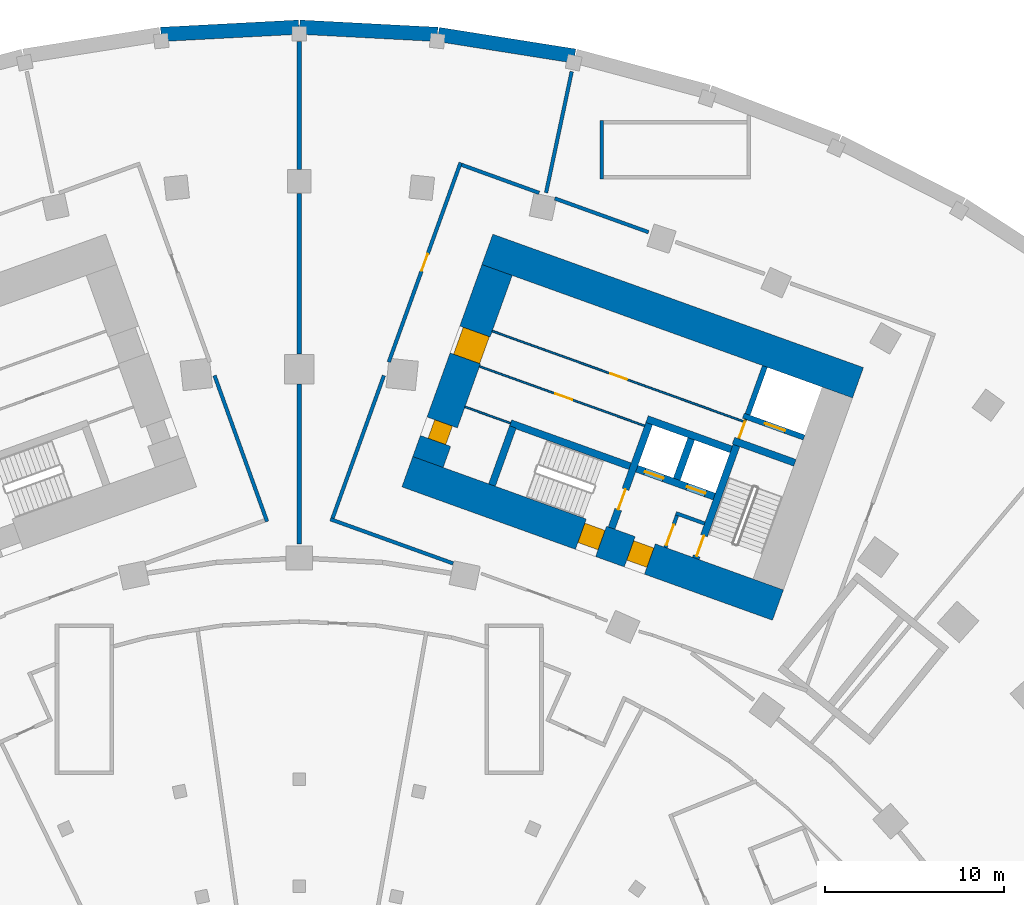
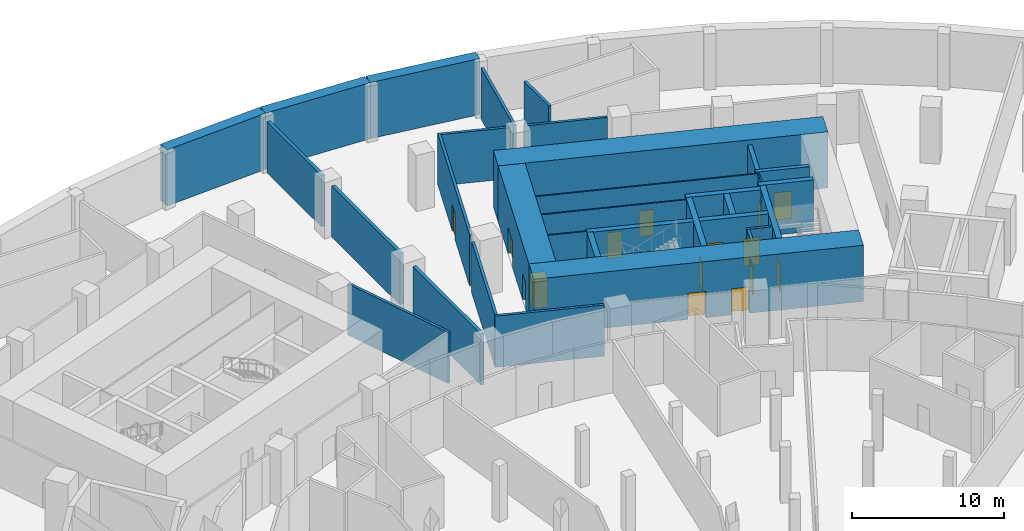
# One storey, part 12 of 21: 32 walls, 14 doors, 14 openings.
"""IFC4 building model written with IfcOpenShell, lengths in metres."""

from ifc_helpers import new_model, si_unit, direction, frame, frame_2d, origin, place, context, subcontext, project, spatial, rectangle, extrude, material, layer, layer_set, type_object, element, fill, save


model = new_model("IFC4")

# Units and contexts
model_context = context("Model", 3, precision=1e-05, world=origin(), true_north=direction((0.0, 1.0)))
body_context = subcontext(model_context, "Body", "Model", "MODEL_VIEW")
ifc_project = project(units=[si_unit("LENGTHUNIT", "METRE"), si_unit("AREAUNIT", "SQUARE_METRE"), si_unit("VOLUMEUNIT", "CUBIC_METRE"), si_unit("PLANEANGLEUNIT", "RADIAN"), si_unit("MASSUNIT", "GRAM", prefix="KILO")], contexts=[model_context])

# Site, building, storey
site_placement = place(None, origin())
site = spatial("IfcSite", under=ifc_project, at=site_placement, CompositionType="ELEMENT")
building_placement = place(site_placement, origin())
building = spatial("IfcBuilding", under=site, at=building_placement, Name="Stone Belt Terrace Tower", CompositionType="ELEMENT")
storey_placement = place(building_placement, frame((0.0, 0.0, -9.0)))
storey = spatial("IfcBuildingStorey", under=building, at=storey_placement, Name="B2", CompositionType="ELEMENT", Elevation=-9.0)

# Walls
ifc_material_1 = material(Name="Concrete B30", Category="concrete")
ifc_layer_1 = layer(ifc_material_1, 0.800048828125)
ifc_layer_set_1 = layer_set([ifc_layer_1], Name="Basement wall 800 B30")
wall_type_1 = type_object("IfcWallType", Name="Basement wall 800 B30", PredefinedType="SHEAR", material=ifc_layer_set_1)
wall_1_placement = place(storey_placement, frame((15.385498046875, 72.4833984375, 0.0), z_axis=(0.0, 0.0, 1.0), x_axis=(-0.987688438382, 0.156433847638, 0.0)))
element("IfcWall", 1, at=wall_1_placement, inside=storey, type_object=wall_type_1, Name="Basement wall B2 34", PredefinedType="SHEAR", context=body_context, shape_type="SweptSolid", body=[
    extrude(rectangle(XDim=7.71435546875, YDim=0.800048828125, at=frame_2d((3.857177734375, 0.0))), origin(), (0.0, 0.0, 1.0), 4.5),
])
for number, where, z_axis, x_axis, name in (
    (2, (7.724609375, 73.694580078125, 0.0), (0.0, 0.0, 1.0), (-0.99862899724, 0.052346211619, 0.0), "Basement wall B2 35"),
    (3, (-0.02099609375, 74.098388671875, 0.0), (0.0, 0.0, 1.0), (-0.99862899724, -0.052346211619, 0.0), "Basement wall B2 36"),
):
    element("IfcWall", number, at=place(storey_placement, frame(where, z_axis=z_axis, x_axis=x_axis)), inside=storey, type_object=wall_type_1, Name=name, PredefinedType="SHEAR", context=body_context, shape_type="SweptSolid", body=[
        extrude(rectangle(XDim=7.714111328125, YDim=0.800048828125, at=frame_2d((3.85693359375, 0.0))), origin(), (0.0, 0.0, 1.0), 4.5),
    ])
ifc_layer_2 = layer(ifc_material_1, 0.25)
ifc_layer_set_2 = layer_set([ifc_layer_2], Name="Compartment wall 250")
wall_type_2 = type_object("IfcWallType", Name="Compartment wall 250", PredefinedType="SOLIDWALL", material=ifc_layer_set_2)
wall_2_placement = place(storey_placement, frame((0.0, 45.215087890625, 0.0), z_axis=(0.0, 0.0, 1.0), x_axis=(0.0, 1.0, 0.0)))
element("IfcWall", 4, at=wall_2_placement, inside=storey, type_object=wall_type_2, Name="Compartment wall B2 9", PredefinedType="SOLIDWALL", context=body_context, shape_type="SweptSolid", body=[
    extrude(rectangle(XDim=8.93994140625, YDim=0.25, at=frame_2d((4.469970703125, 0.0))), origin(), (0.0, 0.0, 1.0), 4.10009765625),
])
wall_3_placement = place(storey_placement, frame((0.0, 55.844970703125, 0.0), z_axis=(0.0, 0.0, 1.0), x_axis=(0.0, 1.0, 0.0)))
element("IfcWall", 5, at=wall_3_placement, inside=storey, type_object=wall_type_2, Name="Compartment wall B2 9", PredefinedType="SOLIDWALL", context=body_context, shape_type="SweptSolid", body=[
    extrude(rectangle(XDim=8.973876953125, YDim=0.25, at=frame_2d((4.48681640625, 0.0))), origin(), (0.0, 0.0, 1.0), 4.10009765625),
])
wall_4_placement = place(storey_placement, frame((0.0, 66.158935546875, 0.0), z_axis=(0.0, 0.0, 1.0), x_axis=(0.0, 1.0, 0.0)))
element("IfcWall", 6, at=wall_4_placement, inside=storey, type_object=wall_type_2, Name="Compartment wall B2 9", PredefinedType="SOLIDWALL", context=body_context, shape_type="SweptSolid", body=[
    extrude(rectangle(XDim=7.14892578125, YDim=0.25, at=frame_2d((3.574462890625, 0.0))), origin(), (0.0, 0.0, 1.0), 4.10009765625),
])

# Wall, opening, door
ifc_material_2 = material(Name="Plasterboard partition")
ifc_layer_3 = layer(ifc_material_2, 0.10009765625)
ifc_layer_set_3 = layer_set([ifc_layer_3], Name="Core partition 100")
wall_type_3 = type_object("IfcWallType", Name="Core partition 100", PredefinedType="PARTITIONING", material=ifc_layer_set_3)
wall_5_placement = place(storey_placement, frame((24.555908203125, 51.10400390625, 0.0), z_axis=(0.0, 0.0, 1.0), x_axis=(0.338621735342, 0.94092258999, 0.0)))
wall_5 = element("IfcWall", 7, at=wall_5_placement, inside=storey, type_object=wall_type_3, Name="Core B wall", PredefinedType="PARTITIONING", context=body_context, shape_type="SweptSolid", body=[
    extrude(rectangle(XDim=1.14990234375, YDim=0.10009765625, at=frame_2d((0.574951171875, 0.0))), origin(), (0.0, 0.0, 1.0), 4.10009765625),
])
opening_1_placement = place(wall_5_placement, frame((0.050048828125, 0.0, 0.0)))
opening_1 = element("IfcOpeningElement", 8, at=opening_1_placement, cuts=wall_5, Name="Opening B2-C13", PredefinedType="OPENING", context=body_context, shape_type="SweptSolid", body=[
    extrude(rectangle(XDim=1.0, YDim=2.10009765625, at=frame_2d((0.5, 1.050048828125))), frame((0.0, 0.06005859375, 0.0), z_axis=(0.0, -1.0, 0.0), x_axis=(1.0, 0.0, 0.0)), (0.0, 0.0, 1.0), 0.1201171875),
])
ifc_material_3 = material(Name="Timber door leaf", Category="wood")
door_type_1 = type_object("IfcDoorType", Name="Core room door 1000", OperationType="SINGLE_SWING_LEFT", PredefinedType="DOOR", material=ifc_material_3)
door_1_placement = place(opening_1_placement, origin())
door_1 = element("IfcDoor", 9, at=door_1_placement, inside=storey, type_object=door_type_1, Name="Service lift lobby door core B", OperationType="SINGLE_SWING_RIGHT", OverallHeight=2.10009765625, OverallWidth=1.0, PredefinedType="DOOR", context=body_context, shape_type="SweptSolid", body=[
    extrude(rectangle(XDim=1.0, YDim=2.10009765625, at=frame_2d((0.5, 1.050048828125))), frame((0.0, 0.02490234375, 0.0), z_axis=(0.0, -1.0, 0.0), x_axis=(1.0, 0.0, 0.0)), (0.0, 0.0, 1.0), 0.050048828125),
])
fill(opening_1, door_1)

wall_6_placement = place(storey_placement, frame((24.847412109375, 52.061767578125, 0.0), z_axis=(0.0, 0.0, 1.0), x_axis=(-0.940921131887, 0.338625786921, 0.0)))
wall_6 = element("IfcWall", 10, at=wall_6_placement, inside=storey, type_object=wall_type_3, Name="Core B wall", PredefinedType="PARTITIONING", context=body_context, shape_type="SweptSolid", body=[
    extrude(rectangle(XDim=14.9501953125, YDim=0.10009765625, at=frame_2d((7.47509765625, 0.0))), origin(), (0.0, 0.0, 1.0), 4.10009765625),
])
opening_2_placement = place(wall_6_placement, frame((6.949951171875, 0.0, 0.0)))
opening_2 = element("IfcOpeningElement", 11, at=opening_2_placement, cuts=wall_6, Name="Opening B2-C11", PredefinedType="OPENING", context=body_context, shape_type="SweptSolid", body=[
    extrude(rectangle(XDim=1.0, YDim=2.10009765625, at=frame_2d((0.5, 1.050048828125))), frame((0.0, 0.06005859375, 0.0), z_axis=(0.0, -1.0, 0.0), x_axis=(1.0, 0.0, 0.0)), (0.0, 0.0, 1.0), 0.1201171875),
])
door_2_placement = place(opening_2_placement, origin())
door_2 = element("IfcDoor", 12, at=door_2_placement, inside=storey, type_object=door_type_1, Name="Door to Chilled water pump room core B", OperationType="SINGLE_SWING_RIGHT", OverallHeight=2.10009765625, OverallWidth=1.0, PredefinedType="DOOR", context=body_context, shape_type="SweptSolid", body=[
    extrude(rectangle(XDim=1.0, YDim=2.10009765625, at=frame_2d((0.5, 1.050048828125))), frame((0.0, 0.02490234375, 0.0), z_axis=(0.0, -1.0, 0.0), x_axis=(1.0, 0.0, 0.0)), (0.0, 0.0, 1.0), 0.050048828125),
])
fill(opening_2, door_2)

wall_7_placement = place(storey_placement, frame((19.29052734375, 51.829833984375, 0.0), z_axis=(0.0, 0.0, 1.0), x_axis=(-0.940925833398, 0.338612722803, 0.0)))
wall_7 = element("IfcWall", 13, at=wall_7_placement, inside=storey, type_object=wall_type_3, Name="Core B wall", PredefinedType="PARTITIONING", context=body_context, shape_type="SweptSolid", body=[
    extrude(rectangle(XDim=9.7998046875, YDim=0.10009765625, at=frame_2d((4.89990234375, 0.0))), origin(), (0.0, 0.0, 1.0), 4.10009765625),
])
opening_3_placement = place(wall_7_placement, frame((4.300048828125, 0.0, 0.0)))
opening_3 = element("IfcOpeningElement", 14, at=opening_3_placement, cuts=wall_7, Name="Opening B2-C12", PredefinedType="OPENING", context=body_context, shape_type="SweptSolid", body=[
    extrude(rectangle(XDim=1.0, YDim=2.10009765625, at=frame_2d((0.5, 1.050048828125))), frame((0.0, 0.06005859375, 0.0), z_axis=(0.0, -1.0, 0.0), x_axis=(1.0, 0.0, 0.0)), (0.0, 0.0, 1.0), 0.1201171875),
])
door_3_placement = place(opening_3_placement, origin())
door_3 = element("IfcDoor", 15, at=door_3_placement, inside=storey, type_object=door_type_1, Name="Door to Fire pump room core B", OperationType="SINGLE_SWING_RIGHT", OverallHeight=2.10009765625, OverallWidth=1.0, PredefinedType="DOOR", context=body_context, shape_type="SweptSolid", body=[
    extrude(rectangle(XDim=1.0, YDim=2.10009765625, at=frame_2d((0.5, 1.050048828125))), frame((0.0, 0.02490234375, 0.0), z_axis=(0.0, -1.0, 0.0), x_axis=(1.0, 0.0, 0.0)), (0.0, 0.0, 1.0), 0.050048828125),
])
fill(opening_3, door_3)

# Wall
wall_8_placement = place(storey_placement, frame((11.797119140625, 51.975830078125, 0.0), z_axis=(0.0, 0.0, 1.0), x_axis=(-0.940910465161, 0.33865542451, 0.0)))
element("IfcWall", 16, at=wall_8_placement, inside=storey, type_object=wall_type_3, Name="Core B wall", PredefinedType="PARTITIONING", context=body_context, shape_type="SweptSolid", body=[
    extrude(rectangle(XDim=2.69970703125, YDim=0.10009765625, at=frame_2d((1.349853515625, 0.0))), origin(), (0.0, 0.0, 1.0), 4.10009765625),
])

# Wall, openings, doors
ifc_material_4 = material(Name="Concrete B80", Category="concrete")
ifc_layer_4 = layer(ifc_material_4, 1.800048828125)
ifc_layer_set_4 = layer_set([ifc_layer_4], Name="Core wall 1800 B80")
wall_type_4 = type_object("IfcWallType", Name="Core wall 1800 B80", PredefinedType="SHEAR", material=ifc_layer_set_4)
wall_9_placement = place(storey_placement, frame((6.039306640625, 49.265380859375, 0.0), z_axis=(0.0, 0.0, 1.0), x_axis=(0.940921642213, -0.338624368902, 0.0)))
wall_9 = element("IfcWall", 17, at=wall_9_placement, inside=storey, type_object=wall_type_4, Name="Core B wall concave B2", PredefinedType="SHEAR", context=body_context, shape_type="SweptSolid", body=[
    extrude(rectangle(XDim=22.0, YDim=1.800048828125, at=frame_2d((11.0, 0.0))), origin(), (0.0, 0.0, 1.0), 4.5),
])
opening_4_placement = place(wall_9_placement, frame((13.199951171875, 0.0, 0.0)))
opening_4 = element("IfcOpeningElement", 18, at=opening_4_placement, cuts=wall_9, Name="Opening B2-C17", PredefinedType="OPENING", context=body_context, shape_type="SweptSolid", body=[
    extrude(rectangle(XDim=1.199951171875, YDim=2.10009765625, at=frame_2d((0.60009765625, 1.050048828125))), frame((0.0, 0.909912109375, 0.0), z_axis=(0.0, -1.0, 0.0), x_axis=(1.0, 0.0, 0.0)), (0.0, 0.0, 1.0), 1.820068359375),
])
opening_5_placement = place(wall_9_placement, frame((10.300048828125, 0.0, 0.0)))
opening_5 = element("IfcOpeningElement", 19, at=opening_5_placement, cuts=wall_9, Name="Opening B2-C19", PredefinedType="OPENING", context=body_context, shape_type="SweptSolid", body=[
    extrude(rectangle(XDim=1.199951171875, YDim=2.10009765625, at=frame_2d((0.60009765625, 1.050048828125))), frame((0.0, 0.909912109375, 0.0), z_axis=(0.0, -1.0, 0.0), x_axis=(1.0, 0.0, 0.0)), (0.0, 0.0, 1.0), 1.820068359375),
])
ifc_material_5 = material(Name="Steel door leaf", Category="steel")
door_type_2 = type_object("IfcDoorType", Name="Fire-fighting lobby door 1200", OperationType="SINGLE_SWING_LEFT", PredefinedType="DOOR", material=ifc_material_5)
door_4_placement = place(opening_4_placement, origin())
door_4 = element("IfcDoor", 20, at=door_4_placement, inside=storey, type_object=door_type_2, Name="Fire-fighting lobby door core B", OperationType="SINGLE_SWING_RIGHT", OverallHeight=2.10009765625, OverallWidth=1.199951171875, PredefinedType="DOOR", context=body_context, shape_type="SweptSolid", body=[
    extrude(rectangle(XDim=1.199951171875, YDim=2.10009765625, at=frame_2d((0.60009765625, 1.050048828125))), frame((0.0, 0.655029296875, 0.0), z_axis=(0.0, -1.0, 0.0), x_axis=(1.0, 0.0, 0.0)), (0.0, 0.0, 1.0), 1.14990234375),
])
fill(opening_4, door_4)
door_type_3 = type_object("IfcDoorType", Name="Stair door 1200", OperationType="SINGLE_SWING_LEFT", PredefinedType="DOOR", material=ifc_material_5)
door_5_placement = place(opening_5_placement, origin())
door_5 = element("IfcDoor", 21, at=door_5_placement, inside=storey, type_object=door_type_3, Name="Stair 2 exit door core B", OperationType="SINGLE_SWING_LEFT", OverallHeight=2.10009765625, OverallWidth=1.199951171875, PredefinedType="DOOR", context=body_context, shape_type="SweptSolid", body=[
    extrude(rectangle(XDim=1.199951171875, YDim=2.10009765625, at=frame_2d((0.60009765625, 1.050048828125))), frame((0.0, 0.655029296875, 0.0), z_axis=(0.0, -1.0, 0.0), x_axis=(1.0, 0.0, 0.0)), (0.0, 0.0, 1.0), 1.14990234375),
])
fill(opening_5, door_5)

# Wall
wall_10_placement = place(storey_placement, frame((10.509033203125, 61.685546875, 0.0), z_axis=(0.0, 0.0, 1.0), x_axis=(0.940922914687, -0.338620833112, 0.0)))
element("IfcWall", 22, at=wall_10_placement, inside=storey, type_object=wall_type_4, Name="Core B wall convex B2", PredefinedType="SHEAR", context=body_context, shape_type="SweptSolid", body=[
    extrude(rectangle(XDim=22.000244140625, YDim=1.800048828125, at=frame_2d((11.0, 0.0))), origin(), (0.0, 0.0, 1.0), 4.5),
])

# Wall, openings, doors
wall_11_placement = place(storey_placement, frame((7.19091796875, 49.8076171875, 0.0), z_axis=(0.0, 0.0, 1.0), x_axis=(0.338632255135, 0.940918804033, 0.0)))
wall_11 = element("IfcWall", 23, at=wall_11_placement, inside=storey, type_object=wall_type_4, Name="Core B wall end_a B2", PredefinedType="SHEAR", context=body_context, shape_type="SweptSolid", body=[
    extrude(rectangle(XDim=11.39990234375, YDim=1.800048828125, at=frame_2d((5.699951171875, 0.0))), origin(), (0.0, 0.0, 1.0), 4.5),
])
opening_6_placement = place(wall_11_placement, frame((6.14990234375, 0.0, 0.0)))
opening_6 = element("IfcOpeningElement", 24, at=opening_6_placement, cuts=wall_11, Name="Opening B2-C14", PredefinedType="OPENING", context=body_context, shape_type="SweptSolid", body=[
    extrude(rectangle(XDim=1.60009765625, YDim=2.10009765625, at=frame_2d((0.800048828125, 1.050048828125))), frame((0.0, 0.909912109375, 0.0), z_axis=(0.0, -1.0, 0.0), x_axis=(1.0, 0.0, 0.0)), (0.0, 0.0, 1.0), 1.820068359375),
])
opening_7_placement = place(wall_11_placement, frame((1.25, 0.0, 0.0)))
opening_7 = element("IfcOpeningElement", 25, at=opening_7_placement, cuts=wall_11, Name="Opening B2-C20", PredefinedType="OPENING", context=body_context, shape_type="SweptSolid", body=[
    extrude(rectangle(XDim=1.10009765625, YDim=2.10009765625, at=frame_2d((0.550048828125, 1.050048828125))), frame((0.0, 0.909912109375, 0.0), z_axis=(0.0, -1.0, 0.0), x_axis=(1.0, 0.0, 0.0)), (0.0, 0.0, 1.0), 1.820068359375),
])
door_type_4 = type_object("IfcDoorType", Name="Core room door 1100", OperationType="SINGLE_SWING_LEFT", PredefinedType="DOOR", material=ifc_material_3)
door_6_placement = place(opening_7_placement, origin())
door_6 = element("IfcDoor", 26, at=door_6_placement, inside=storey, type_object=door_type_4, Name="Door to Switch room core B", OperationType="SINGLE_SWING_RIGHT", OverallHeight=2.10009765625, OverallWidth=1.10009765625, PredefinedType="DOOR", context=body_context, shape_type="SweptSolid", body=[
    extrude(rectangle(XDim=1.10009765625, YDim=2.10009765625, at=frame_2d((0.550048828125, 1.050048828125))), frame((0.0, 0.44482421875, 0.0), z_axis=(0.0, -1.0, 0.0), x_axis=(1.0, 0.0, 0.0)), (0.0, 0.0, 1.0), 1.050048828125),
])
fill(opening_7, door_6)
ifc_material_6 = material(Name="Glazed aluminium door leaf", Category="aluminium")
door_type_5 = type_object("IfcDoorType", Name="Lift lobby entrance door 1600", OperationType="DOUBLE_DOOR_SINGLE_SWING", PredefinedType="DOOR", material=ifc_material_6)
door_7_placement = place(opening_6_placement, origin())
door_7 = element("IfcDoor", 27, at=door_7_placement, inside=storey, type_object=door_type_5, Name="Lift lobby entrance door core B", OperationType="DOUBLE_DOOR_SINGLE_SWING", OverallHeight=2.10009765625, OverallWidth=1.60009765625, PredefinedType="DOOR", context=body_context, shape_type="SweptSolid", body=[
    extrude(rectangle(XDim=1.60009765625, YDim=2.10009765625, at=frame_2d((0.800048828125, 1.050048828125))), frame((0.0, 0.69482421875, 0.0), z_axis=(0.0, -1.0, 0.0), x_axis=(1.0, 0.0, 0.0)), (0.0, 0.0, 1.0), 1.550048828125),
])
fill(opening_6, door_7)

# Walls
ifc_layer_5 = layer(ifc_material_4, 0.39990234375)
ifc_layer_set_5 = layer_set([ifc_layer_5], Name="Fire-fighting lift shaft wall 400")
wall_type_5 = type_object("IfcWallType", Name="Fire-fighting lift shaft wall 400", PredefinedType="SHEAR", material=ifc_layer_set_5)
wall_12_placement = place(storey_placement, frame((24.130615234375, 50.512939453125, 0.0), z_axis=(0.0, 0.0, 1.0), x_axis=(-0.94091168377, 0.338652038744, 0.0)))
element("IfcWall", 28, at=wall_12_placement, inside=storey, type_object=wall_type_5, Name="Core B wall", PredefinedType="SHEAR", context=body_context, shape_type="SweptSolid", body=[
    extrude(rectangle(XDim=5.000244140625, YDim=0.39990234375, at=frame_2d((2.5, 0.0))), origin(), (0.0, 0.0, 1.0), 4.10009765625),
])
wall_13_placement = place(storey_placement, frame((21.0859375, 48.845458984375, 0.0), z_axis=(0.0, 0.0, 1.0), x_axis=(0.338629416206, 0.940919825745, 0.0)))
element("IfcWall", 29, at=wall_13_placement, inside=storey, type_object=wall_type_5, Name="Core B wall", PredefinedType="SHEAR", context=body_context, shape_type="SweptSolid", body=[
    extrude(rectangle(XDim=2.400146484375, YDim=0.39990234375, at=frame_2d((1.2001953125, 0.0))), origin(), (0.0, 0.0, 1.0), 4.10009765625),
])

# Wall, opening, door
ifc_layer_6 = layer(ifc_material_4, 0.300048828125)
ifc_layer_set_6 = layer_set([ifc_layer_6], Name="Lift shaft wall 300")
wall_type_6 = type_object("IfcWallType", Name="Lift shaft wall 300", PredefinedType="SHEAR", material=ifc_layer_set_6)
wall_14_placement = place(storey_placement, frame((28.195068359375, 51.17578125, 0.0), z_axis=(0.0, 0.0, 1.0), x_axis=(-0.940901243567, 0.338681044427, 0.0)))
wall_14 = element("IfcWall", 30, at=wall_14_placement, inside=storey, type_object=wall_type_6, Name="Core B wall", PredefinedType="SHEAR", context=body_context, shape_type="SweptSolid", body=[
    extrude(rectangle(XDim=3.599853515625, YDim=0.300048828125, at=frame_2d((1.7998046875, 0.0))), origin(), (0.0, 0.0, 1.0), 4.10009765625),
])
opening_8_placement = place(wall_14_placement, frame((1.1201171875, 0.0, 0.0)))
opening_8 = element("IfcOpeningElement", 31, at=opening_8_placement, cuts=wall_14, Name="Opening B2-LD06", PredefinedType="OPENING", context=body_context, shape_type="SweptSolid", body=[
    extrude(rectangle(XDim=1.199951171875, YDim=2.199951171875, at=frame_2d((0.60009765625, 1.10009765625))), frame((0.0, 0.159912109375, 0.0), z_axis=(0.0, -1.0, 0.0), x_axis=(1.0, 0.0, 0.0)), (0.0, 0.0, 1.0), 0.320068359375),
])
ifc_material_7 = material(Name="Stainless steel door leaf", Category="steel")
door_type_6 = type_object("IfcDoorType", Name="Landing door 1200", OperationType="SLIDING_TO_LEFT", PredefinedType="DOOR", material=ifc_material_7)
door_8_placement = place(opening_8_placement, origin())
door_8 = element("IfcDoor", 32, at=door_8_placement, inside=storey, type_object=door_type_6, Name="Landing door SV1 core B", OperationType="SLIDING_TO_LEFT", OverallHeight=2.199951171875, OverallWidth=1.199951171875, PredefinedType="DOOR", context=body_context, shape_type="SweptSolid", body=[
    extrude(rectangle(XDim=1.199951171875, YDim=2.199951171875, at=frame_2d((0.60009765625, 1.10009765625))), frame((0.0, 0.02490234375, 0.0), z_axis=(0.0, -1.0, 0.0), x_axis=(1.0, 0.0, 0.0)), (0.0, 0.0, 1.0), 0.050048828125),
])
fill(opening_8, door_8)

# Walls
wall_15_placement = place(storey_placement, frame((25.046875, 52.46826171875, 0.0), z_axis=(0.0, 0.0, 1.0), x_axis=(0.338549588058, 0.940948551423, 0.0)))
element("IfcWall", 33, at=wall_15_placement, inside=storey, type_object=wall_type_6, Name="Core B wall", PredefinedType="SHEAR", context=body_context, shape_type="SweptSolid", body=[
    extrude(rectangle(XDim=2.849853515625, YDim=0.300048828125, at=frame_2d((1.4248046875, 0.0))), origin(), (0.0, 0.0, 1.0), 4.10009765625),
])
ifc_material_8 = material(Name="Blockwork wall, plastered both faces", Category="masonry")
ifc_layer_7 = layer(ifc_material_8, 0.199951171875)
ifc_layer_set_7 = layer_set([ifc_layer_7], Name="Podium demising wall 200")
wall_type_7 = type_object("IfcWallType", Name="Podium demising wall 200", PredefinedType="PARTITIONING", material=ifc_layer_set_7)
wall_16_placement = place(storey_placement, frame((-4.73095703125, 54.6376953125, 0.0), z_axis=(0.0, 0.0, 1.0), x_axis=(0.338734435594, -0.940882023499, 0.0)))
element("IfcWall", 34, at=wall_16_placement, inside=storey, type_object=wall_type_7, Name="Podium demising wall 200", PredefinedType="PARTITIONING", context=body_context, shape_type="SweptSolid", body=[
    extrude(rectangle(XDim=8.6640625, YDim=0.199951171875, at=frame_2d((4.33203125, 0.0))), origin(), (0.0, 0.0, 1.0), 4.10009765625),
])
wall_17_placement = place(storey_placement, frame((1.73583984375, 46.614013671875, 0.0), z_axis=(0.0, 0.0, 1.0), x_axis=(0.940814819485, -0.338921046023, 0.0)))
element("IfcWall", 35, at=wall_17_placement, inside=storey, type_object=wall_type_7, Name="Podium demising wall 200", PredefinedType="PARTITIONING", context=body_context, shape_type="SweptSolid", body=[
    extrude(rectangle(XDim=7.29052734375, YDim=0.199951171875, at=frame_2d((3.645263671875, 0.0))), origin(), (0.0, 0.0, 1.0), 4.10009765625),
])
wall_18_placement = place(storey_placement, frame((1.864013671875, 46.674072265625, 0.0), z_axis=(0.0, 0.0, 1.0), x_axis=(0.338723553924, 0.940885941024, 0.0)))
element("IfcWall", 36, at=wall_18_placement, inside=storey, type_object=wall_type_7, Name="Podium demising wall 200", PredefinedType="PARTITIONING", context=body_context, shape_type="SweptSolid", body=[
    extrude(rectangle(XDim=8.4638671875, YDim=0.199951171875, at=frame_2d((4.23193359375, 0.0))), origin(), (0.0, 0.0, 1.0), 4.10009765625),
])

# Wall, opening, door
wall_19_placement = place(storey_placement, frame((5.00341796875, 55.394775390625, 0.0), z_axis=(0.0, 0.0, 1.0), x_axis=(0.338742834856, 0.940878999571, 0.0)))
wall_19 = element("IfcWall", 37, at=wall_19_placement, inside=storey, type_object=wall_type_7, Name="Podium demising wall 200", PredefinedType="PARTITIONING", context=body_context, shape_type="SweptSolid", body=[
    extrude(rectangle(XDim=11.83935546875, YDim=0.199951171875, at=frame_2d((5.919677734375, 0.0))), origin(), (0.0, 0.0, 1.0), 4.10009765625),
])
opening_9_placement = place(wall_19_placement, frame((5.419677734375, 0.0, 0.0)))
opening_9 = element("IfcOpeningElement", 38, at=opening_9_placement, cuts=wall_19, Name="Opening B2-P13", PredefinedType="OPENING", context=body_context, shape_type="SweptSolid", body=[
    extrude(rectangle(XDim=1.0, YDim=2.10009765625, at=frame_2d((0.5, 1.050048828125))), frame((0.0, 0.10986328125, 0.0), z_axis=(0.0, -1.0, 0.0), x_axis=(1.0, 0.0, 0.0)), (0.0, 0.0, 1.0), 0.219970703125),
])
ifc_material_9 = material(Name="Steel framed door leaf", Category="steel")
door_type_7 = type_object("IfcDoorType", Name="Podium door single 1000", OperationType="SINGLE_SWING_LEFT", PredefinedType="DOOR", material=ifc_material_9)
door_9_placement = place(opening_9_placement, origin())
door_9 = element("IfcDoor", 39, at=door_9_placement, inside=storey, type_object=door_type_7, Name="Podium door single 1000", OperationType="SINGLE_SWING_LEFT", OverallHeight=2.10009765625, OverallWidth=1.0, PredefinedType="DOOR", context=body_context, shape_type="SweptSolid", body=[
    extrude(rectangle(XDim=1.0, YDim=2.10009765625, at=frame_2d((0.5, 1.050048828125))), frame((0.0, 0.02490234375, 0.0), z_axis=(0.0, -1.0, 0.0), x_axis=(1.0, 0.0, 0.0)), (0.0, 0.0, 1.0), 0.050048828125),
])
fill(opening_9, door_9)

# Walls
wall_20_placement = place(storey_placement, frame((9.073974609375, 66.406005859375, 0.0), z_axis=(0.0, 0.0, 1.0), x_axis=(0.940314133955, -0.340307698245, 0.0)))
element("IfcWall", 40, at=wall_20_placement, inside=storey, type_object=wall_type_7, Name="Podium demising wall 200", PredefinedType="PARTITIONING", context=body_context, shape_type="SweptSolid", body=[
    extrude(rectangle(XDim=4.603515625, YDim=0.199951171875, at=frame_2d((2.3017578125, 0.0))), origin(), (0.0, 0.0, 1.0), 4.10009765625),
])
wall_21_placement = place(storey_placement, frame((14.272705078125, 64.531982421875, 0.0), z_axis=(0.0, 0.0, 1.0), x_axis=(0.940896911821, -0.338693078355, 0.0)))
element("IfcWall", 41, at=wall_21_placement, inside=storey, type_object=wall_type_7, Name="Podium demising wall 200", PredefinedType="PARTITIONING", context=body_context, shape_type="SweptSolid", body=[
    extrude(rectangle(XDim=5.569091796875, YDim=0.199951171875, at=frame_2d((2.78466796875, 0.0))), origin(), (0.0, 0.0, 1.0), 4.10009765625),
])
wall_22_placement = place(storey_placement, frame((13.787353515625, 64.849365234375, 0.0), z_axis=(0.0, 0.0, 1.0), x_axis=(0.207089788277, 0.978321940667, 0.0)))
element("IfcWall", 42, at=wall_22_placement, inside=storey, type_object=wall_type_7, Name="Podium demising wall 200", PredefinedType="PARTITIONING", context=body_context, shape_type="SweptSolid", body=[
    extrude(rectangle(XDim=6.9189453125, YDim=0.199951171875, at=frame_2d((3.45947265625, 0.0))), origin(), (0.0, 0.0, 1.0), 4.10009765625),
])
ifc_layer_8 = layer(ifc_material_1, 0.199951171875)
ifc_layer_set_8 = layer_set([ifc_layer_8], Name="Podium stair and shaft wall 200")
wall_type_8 = type_object("IfcWallType", Name="Podium stair and shaft wall 200", PredefinedType="SOLIDWALL", material=ifc_layer_set_8)
wall_23_placement = place(storey_placement, frame((16.889892578125, 65.6201171875, 0.0), z_axis=(0.0, 0.0, 1.0), x_axis=(0.0, 1.0, 0.0)))
element("IfcWall", 43, at=wall_23_placement, inside=storey, type_object=wall_type_8, Name="Podium stair and shaft wall 200", PredefinedType="SOLIDWALL", context=body_context, shape_type="SweptSolid", body=[
    extrude(rectangle(XDim=3.259765625, YDim=0.199951171875, at=frame_2d((1.6298828125, 0.0))), origin(), (0.0, 0.0, 1.0), 4.10009765625),
])
ifc_material_10 = material(Name="Concrete masonry block", Category="masonry")
ifc_layer_9 = layer(ifc_material_10, 0.199951171875)
ifc_layer_set_9 = layer_set([ifc_layer_9], Name="Rated lobby wall 200")
wall_type_9 = type_object("IfcWallType", Name="Rated lobby wall 200", PredefinedType="PARTITIONING", material=ifc_layer_set_9)
wall_24_placement = place(storey_placement, frame((22.640625, 46.373046875, 0.0), z_axis=(0.0, 0.0, 1.0), x_axis=(-0.940966110313, 0.338500781747, 0.0)))
element("IfcWall", 44, at=wall_24_placement, inside=storey, type_object=wall_type_9, Name="Core B wall", PredefinedType="PARTITIONING", context=body_context, shape_type="SweptSolid", body=[
    extrude(rectangle(XDim=1.699951171875, YDim=0.199951171875, at=frame_2d((0.85009765625, 0.0))), origin(), (0.0, 0.0, 1.0), 4.10009765625),
])

# Wall, opening, door
wall_25_placement = place(storey_placement, frame((20.4580078125, 45.032958984375, 0.0), z_axis=(0.0, 0.0, 1.0), x_axis=(0.338573865316, 0.940939816208, 0.0)))
wall_25 = element("IfcWall", 45, at=wall_25_placement, inside=storey, type_object=wall_type_9, Name="Core B wall", PredefinedType="PARTITIONING", context=body_context, shape_type="SweptSolid", body=[
    extrude(rectangle(XDim=1.900146484375, YDim=0.199951171875, at=frame_2d((0.9501953125, 0.0))), origin(), (0.0, 0.0, 1.0), 4.10009765625),
])
opening_10_placement = place(wall_25_placement, frame((0.14990234375, 0.0, 0.0)))
opening_10 = element("IfcOpeningElement", 46, at=opening_10_placement, cuts=wall_25, Name="Opening B2-C16", PredefinedType="OPENING", context=body_context, shape_type="SweptSolid", body=[
    extrude(rectangle(XDim=1.199951171875, YDim=2.10009765625, at=frame_2d((0.60009765625, 1.050048828125))), frame((0.0, 0.10986328125, 0.0), z_axis=(0.0, -1.0, 0.0), x_axis=(1.0, 0.0, 0.0)), (0.0, 0.0, 1.0), 0.219970703125),
])
door_10_placement = place(opening_10_placement, origin())
door_10 = element("IfcDoor", 47, at=door_10_placement, inside=storey, type_object=door_type_3, Name="Stair airlock door core B", OperationType="SINGLE_SWING_RIGHT", OverallHeight=2.10009765625, OverallWidth=1.199951171875, PredefinedType="DOOR", context=body_context, shape_type="SweptSolid", body=[
    extrude(rectangle(XDim=1.199951171875, YDim=2.10009765625, at=frame_2d((0.60009765625, 1.050048828125))), frame((0.0, 0.02490234375, 0.0), z_axis=(0.0, -1.0, 0.0), x_axis=(1.0, 0.0, 0.0)), (0.0, 0.0, 1.0), 0.050048828125),
])
fill(opening_10, door_10)

# Wall
ifc_layer_10 = layer(ifc_material_4, 0.39990234375)
ifc_layer_set_10 = layer_set([ifc_layer_10], Name="Stair enclosure wall 400")
wall_type_10 = type_object("IfcWallType", Name="Stair enclosure wall 400", PredefinedType="SHEAR", material=ifc_layer_set_10)
wall_26_placement = place(storey_placement, frame((27.687255859375, 49.764404296875, 0.0), z_axis=(0.0, 0.0, 1.0), x_axis=(-0.940918954884, 0.338631835981, 0.0)))
element("IfcWall", 48, at=wall_26_placement, inside=storey, type_object=wall_type_10, Name="Core B wall", PredefinedType="SHEAR", context=body_context, shape_type="SweptSolid", body=[
    extrude(rectangle(XDim=3.650146484375, YDim=0.39990234375, at=frame_2d((1.8251953125, 0.0))), origin(), (0.0, 0.0, 1.0), 4.10009765625),
])

# Wall, opening, door
wall_27_placement = place(storey_placement, frame((22.151611328125, 44.42333984375, 0.0), z_axis=(0.0, 0.0, 1.0), x_axis=(0.338625272931, 0.940921316866, 0.0)))
wall_27 = element("IfcWall", 49, at=wall_27_placement, inside=storey, type_object=wall_type_10, Name="Core B wall", PredefinedType="SHEAR", context=body_context, shape_type="SweptSolid", body=[
    extrude(rectangle(XDim=6.699951171875, YDim=0.39990234375, at=frame_2d((3.35009765625, 0.0))), origin(), (0.0, 0.0, 1.0), 4.10009765625),
])
opening_11_placement = place(wall_27_placement, frame((0.14990234375, 0.0, 0.0)))
opening_11 = element("IfcOpeningElement", 50, at=opening_11_placement, cuts=wall_27, Name="Opening B2-C15", PredefinedType="OPENING", context=body_context, shape_type="SweptSolid", body=[
    extrude(rectangle(XDim=1.199951171875, YDim=2.10009765625, at=frame_2d((0.60009765625, 1.050048828125))), frame((0.0, 0.2099609375, 0.0), z_axis=(0.0, -1.0, 0.0), x_axis=(1.0, 0.0, 0.0)), (0.0, 0.0, 1.0), 0.419921875),
])
door_11_placement = place(opening_11_placement, origin())
door_11 = element("IfcDoor", 51, at=door_11_placement, inside=storey, type_object=door_type_3, Name="Stair 1 door core B", OperationType="SINGLE_SWING_RIGHT", OverallHeight=2.10009765625, OverallWidth=1.199951171875, PredefinedType="DOOR", context=body_context, shape_type="SweptSolid", body=[
    extrude(rectangle(XDim=1.199951171875, YDim=2.10009765625, at=frame_2d((0.60009765625, 1.050048828125))), frame((0.0, 0.02490234375, 0.0), z_axis=(0.0, -1.0, 0.0), x_axis=(1.0, 0.0, 0.0)), (0.0, 0.0, 1.0), 0.050048828125),
])
fill(opening_11, door_11)

# Wall, openings, doors
wall_28_placement = place(storey_placement, frame((23.182373046875, 47.87841796875, 0.0), z_axis=(0.0, 0.0, 1.0), x_axis=(-0.940921101762, 0.338625870628, 0.0)))
wall_28 = element("IfcWall", 52, at=wall_28_placement, inside=storey, type_object=wall_type_10, Name="Core B wall", PredefinedType="SHEAR", context=body_context, shape_type="SweptSolid", body=[
    extrude(rectangle(XDim=12.10009765625, YDim=0.39990234375, at=frame_2d((6.050048828125, 0.0))), origin(), (0.0, 0.0, 1.0), 4.10009765625),
])
opening_12_placement = place(wall_28_placement, frame((0.52001953125, 0.0, 0.0)))
opening_12 = element("IfcOpeningElement", 53, at=opening_12_placement, cuts=wall_28, Name="Opening B2-LD04", PredefinedType="OPENING", context=body_context, shape_type="SweptSolid", body=[
    extrude(rectangle(XDim=1.10009765625, YDim=2.199951171875, at=frame_2d((0.550048828125, 1.10009765625))), frame((0.0, 0.2099609375, 0.0), z_axis=(0.0, -1.0, 0.0), x_axis=(1.0, 0.0, 0.0)), (0.0, 0.0, 1.0), 0.419921875),
])
opening_13_placement = place(wall_28_placement, frame((3.02001953125, 0.0, 0.0)))
opening_13 = element("IfcOpeningElement", 54, at=opening_13_placement, cuts=wall_28, Name="Opening B2-LD05", PredefinedType="OPENING", context=body_context, shape_type="SweptSolid", body=[
    extrude(rectangle(XDim=1.10009765625, YDim=2.199951171875, at=frame_2d((0.550048828125, 1.10009765625))), frame((0.0, 0.2099609375, 0.0), z_axis=(0.0, -1.0, 0.0), x_axis=(1.0, 0.0, 0.0)), (0.0, 0.0, 1.0), 0.419921875),
])
door_type_8 = type_object("IfcDoorType", Name="Landing door 1100", OperationType="SLIDING_TO_LEFT", PredefinedType="DOOR", material=ifc_material_7)
door_12_placement = place(opening_12_placement, origin())
door_12 = element("IfcDoor", 55, at=door_12_placement, inside=storey, type_object=door_type_8, Name="Landing door FF1 core B", OperationType="SLIDING_TO_LEFT", OverallHeight=2.199951171875, OverallWidth=1.10009765625, PredefinedType="DOOR", context=body_context, shape_type="SweptSolid", body=[
    extrude(rectangle(XDim=1.10009765625, YDim=2.199951171875, at=frame_2d((0.550048828125, 1.10009765625))), frame((0.0, 0.02490234375, 0.0), z_axis=(0.0, -1.0, 0.0), x_axis=(1.0, 0.0, 0.0)), (0.0, 0.0, 1.0), 0.050048828125),
])
fill(opening_12, door_12)
door_13_placement = place(opening_13_placement, origin())
door_13 = element("IfcDoor", 56, at=door_13_placement, inside=storey, type_object=door_type_8, Name="Landing door FF2 core B", OperationType="SLIDING_TO_LEFT", OverallHeight=2.199951171875, OverallWidth=1.10009765625, PredefinedType="DOOR", context=body_context, shape_type="SweptSolid", body=[
    extrude(rectangle(XDim=1.10009765625, YDim=2.199951171875, at=frame_2d((0.550048828125, 1.10009765625))), frame((0.0, 0.02490234375, 0.0), z_axis=(0.0, -1.0, 0.0), x_axis=(1.0, 0.0, 0.0)), (0.0, 0.0, 1.0), 0.050048828125),
])
fill(opening_13, door_13)

# Wall, opening, door
wall_29_placement = place(storey_placement, frame((17.447021484375, 46.116455078125, 0.0), z_axis=(0.0, 0.0, 1.0), x_axis=(0.33860791464, 0.940927563707, 0.0)))
wall_29 = element("IfcWall", 57, at=wall_29_placement, inside=storey, type_object=wall_type_10, Name="Core B wall", PredefinedType="SHEAR", context=body_context, shape_type="SweptSolid", body=[
    extrude(rectangle(XDim=6.199951171875, YDim=0.39990234375, at=frame_2d((3.10009765625, 0.0))), origin(), (0.0, 0.0, 1.0), 4.10009765625),
])
opening_14_placement = place(wall_29_placement, frame((1.10009765625, 0.0, 0.0)))
opening_14 = element("IfcOpeningElement", 58, at=opening_14_placement, cuts=wall_29, Name="Opening B2-C18", PredefinedType="OPENING", context=body_context, shape_type="SweptSolid", body=[
    extrude(rectangle(XDim=1.199951171875, YDim=2.10009765625, at=frame_2d((0.60009765625, 1.050048828125))), frame((0.0, 0.2099609375, 0.0), z_axis=(0.0, -1.0, 0.0), x_axis=(1.0, 0.0, 0.0)), (0.0, 0.0, 1.0), 0.419921875),
])
door_14_placement = place(opening_14_placement, origin())
door_14 = element("IfcDoor", 59, at=door_14_placement, inside=storey, type_object=door_type_3, Name="Stair 2 door core B", OperationType="SINGLE_SWING_RIGHT", OverallHeight=2.10009765625, OverallWidth=1.199951171875, PredefinedType="DOOR", context=body_context, shape_type="SweptSolid", body=[
    extrude(rectangle(XDim=1.199951171875, YDim=2.10009765625, at=frame_2d((0.60009765625, 1.050048828125))), frame((0.0, 0.02490234375, 0.0), z_axis=(0.0, -1.0, 0.0), x_axis=(1.0, 0.0, 0.0)), (0.0, 0.0, 1.0), 0.050048828125),
])
fill(opening_14, door_14)

# Wall
wall_30_placement = place(storey_placement, frame((10.766357421875, 48.520751953125, 0.0), z_axis=(0.0, 0.0, 1.0), x_axis=(0.338621735342, 0.94092258999, 0.0)))
element("IfcWall", 60, at=wall_30_placement, inside=storey, type_object=wall_type_10, Name="Core B wall", PredefinedType="SHEAR", context=body_context, shape_type="SweptSolid", body=[
    extrude(rectangle(XDim=3.449951171875, YDim=0.39990234375, at=frame_2d((1.72509765625, 0.0))), origin(), (0.0, 0.0, 1.0), 4.10009765625),
])

save(model, "model.ifc")
